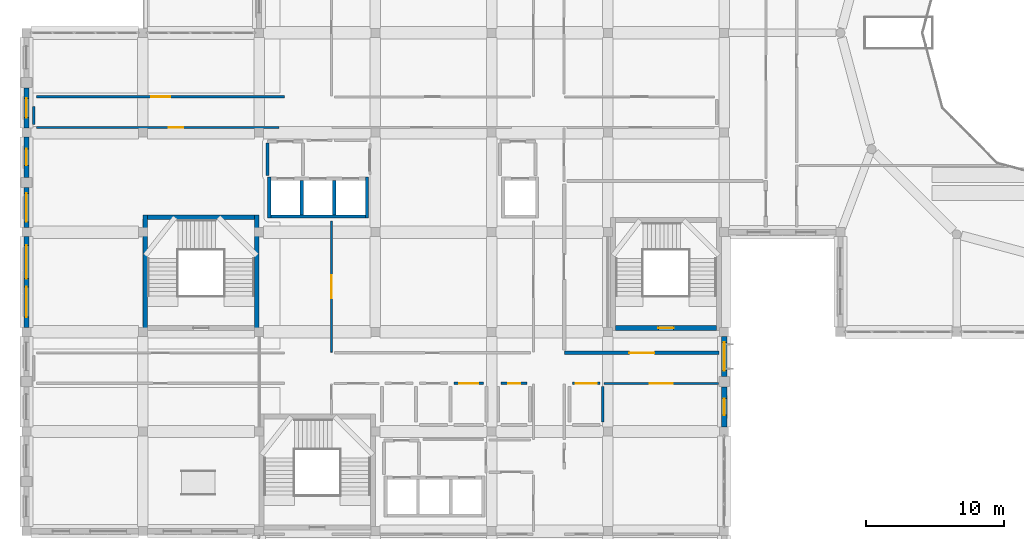
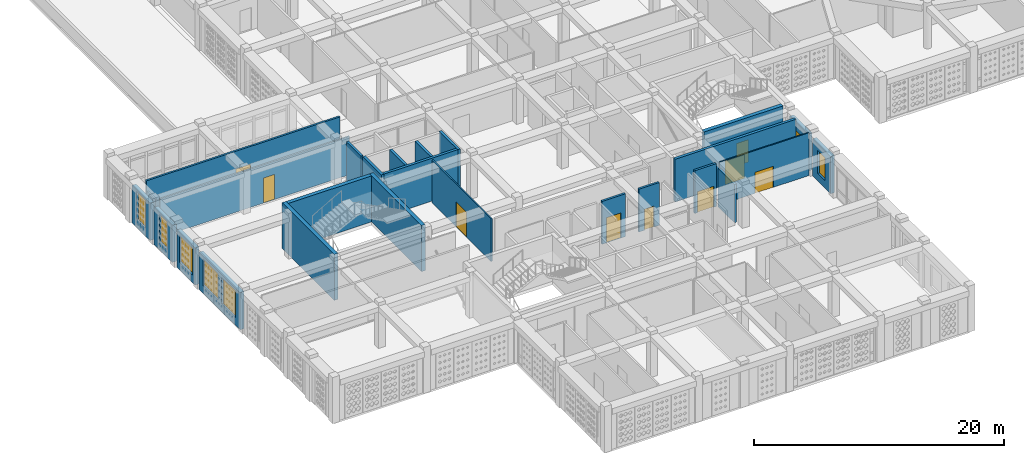
# One storey, part 42 of 79: 26 walls, 9 doors, 7 windows, 16 openings.
"""IFC4 building model written with IfcOpenShell, lengths in metres."""

from ifc_helpers import new_model, si_unit, derived_unit, direction, frame, frame_2d, origin, place, context, subcontext, project, spatial, rectangle, extrude, material, layer, layer_set, type_object, element, fill, save


model = new_model("IFC4")

# Units and contexts
model_context = context("Model", 3, precision=1e-05, world=origin(), true_north=direction((0.0, 1.0)))
body_context = subcontext(model_context, "Body", "Model", "MODEL_VIEW")
ifc_project = project(units=[si_unit("LENGTHUNIT", "METRE"), si_unit("AREAUNIT", "SQUARE_METRE"), si_unit("VOLUMEUNIT", "CUBIC_METRE"), si_unit("PLANEANGLEUNIT", "RADIAN"), si_unit("MASSUNIT", "GRAM", prefix="KILO"), derived_unit("THERMALTRANSMITTANCEUNIT", [(si_unit("POWERUNIT", "WATT"), 1), (si_unit("LENGTHUNIT", "METRE"), -2), (si_unit("THERMODYNAMICTEMPERATUREUNIT", "KELVIN"), -1)])], contexts=[model_context])

# Site, building, storey
site_placement = place(None, origin())
site = spatial("IfcSite", under=ifc_project, at=site_placement, CompositionType="ELEMENT")
building_placement = place(site_placement, origin())
building = spatial("IfcBuilding", under=site, at=building_placement, Name="Veybourne Emporium", CompositionType="ELEMENT")
storey_placement = place(building_placement, frame((0.0, 0.0, 18.89990234375)))
storey = spatial("IfcBuildingStorey", under=building, at=storey_placement, Name="L04", CompositionType="ELEMENT", Elevation=18.89990234375)

# Wall, openings, windows
ifc_material_1 = material(Name="Portland Limestone Ashlar", Category="masonry")
ifc_layer_1 = layer(ifc_material_1, 0.3798828125)
ifc_layer_set_1 = layer_set([ifc_layer_1], Name="Portland Limestone Ashlar")
wall_type_1 = type_object("IfcWallType", Name="ExtWall_EW-03", PredefinedType="SOLIDWALL", material=ifc_layer_set_1)
wall_1_placement = place(storey_placement, frame((0.0, 29.125, 0.0), z_axis=(0.0, 0.0, 1.0), x_axis=(0.0, 1.0, 0.0)))
wall_1 = element("IfcWall", 1, at=wall_1_placement, inside=storey, type_object=wall_type_1, Name="L04 Portland stone external wall 004", PredefinedType="SOLIDWALL", context=body_context, shape_type="SweptSolid", body=[
    extrude(rectangle(XDim=6.550048828125, YDim=0.3798828125, at=frame_2d((3.27490234375, 0.0))), origin(), (0.0, 0.0, 1.0), 3.630126953125),
])
opening_1_placement = place(wall_1_placement, frame((0.73388671875, 0.0, 0.75)))
opening_1 = element("IfcOpeningElement", 2, at=opening_1_placement, cuts=wall_1, Name="Opening W-38", PredefinedType="OPENING", context=body_context, shape_type="SweptSolid", body=[
    extrude(rectangle(XDim=2.199951171875, YDim=2.6201171875, at=frame_2d((1.10009765625, 1.31005859375))), frame((0.0, 0.2099609375, 0.0), z_axis=(0.0, -1.0, 0.0), x_axis=(1.0, 0.0, 0.0)), (0.0, 0.0, 1.0), 0.419921875),
])
opening_2_placement = place(wall_1_placement, frame((3.51611328125, 0.0, 0.75)))
opening_2 = element("IfcOpeningElement", 3, at=opening_2_placement, cuts=wall_1, Name="Opening W-39", PredefinedType="OPENING", context=body_context, shape_type="SweptSolid", body=[
    extrude(rectangle(XDim=2.39990234375, YDim=2.6201171875, at=frame_2d((1.199951171875, 1.31005859375))), frame((0.0, 0.2099609375, 0.0), z_axis=(0.0, -1.0, 0.0), x_axis=(1.0, 0.0, 0.0)), (0.0, 0.0, 1.0), 0.419921875),
])
ifc_material_2 = material(Name="Low-E Triple Glazing", Category="glass")
window_type_1 = type_object("IfcWindowType", Name="Win_W-38", PartitioningType="TRIPLE_PANEL_VERTICAL", PredefinedType="WINDOW", material=ifc_material_2)
window_1_placement = place(opening_1_placement, origin())
window_1 = element("IfcWindow", 4, at=window_1_placement, inside=storey, type_object=window_type_1, Name="L04 tripartite bronze casement window W-38 (4.1)", OverallHeight=2.6201171875, OverallWidth=2.199951171875, PartitioningType="TRIPLE_PANEL_VERTICAL", PredefinedType="WINDOW", context=body_context, shape_type="SweptSolid", body=[
    extrude(rectangle(XDim=2.199951171875, YDim=2.6201171875, at=frame_2d((1.10009765625, 1.31005859375))), frame((0.0, 0.030029296875, 0.0), z_axis=(0.0, -1.0, 0.0), x_axis=(1.0, 0.0, 0.0)), (0.0, 0.0, 1.0), 0.06005859375),
])
fill(opening_1, window_1)
window_type_2 = type_object("IfcWindowType", Name="Win_W-39", PartitioningType="TRIPLE_PANEL_VERTICAL", PredefinedType="WINDOW", material=ifc_material_2)
window_2_placement = place(opening_2_placement, origin())
window_2 = element("IfcWindow", 5, at=window_2_placement, inside=storey, type_object=window_type_2, Name="L04 tripartite bronze casement window W-39 (4.2)", OverallHeight=2.6201171875, OverallWidth=2.39990234375, PartitioningType="TRIPLE_PANEL_VERTICAL", PredefinedType="WINDOW", context=body_context, shape_type="SweptSolid", body=[
    extrude(rectangle(XDim=2.39990234375, YDim=2.6201171875, at=frame_2d((1.199951171875, 1.31005859375))), frame((0.0, 0.030029296875, 0.0), z_axis=(0.0, -1.0, 0.0), x_axis=(1.0, 0.0, 0.0)), (0.0, 0.0, 1.0), 0.06005859375),
])
fill(opening_2, window_2)

# Wall, opening, window
wall_2_placement = place(storey_placement, frame((0.0, 36.324951171875, 0.0), z_axis=(0.0, 0.0, 1.0), x_axis=(0.0, 1.0, 0.0)))
wall_2 = element("IfcWall", 6, at=wall_2_placement, inside=storey, type_object=wall_type_1, Name="L04 Portland stone external wall 005A", PredefinedType="SOLIDWALL", context=body_context, shape_type="SweptSolid", body=[
    extrude(rectangle(XDim=2.905029296875, YDim=0.3798828125, at=frame_2d((1.45263671875, 0.0))), origin(), (0.0, 0.0, 1.0), 3.630126953125),
])
opening_3_placement = place(wall_2_placement, frame((0.427490234375, 0.0, 0.75)))
opening_3 = element("IfcOpeningElement", 7, at=opening_3_placement, cuts=wall_2, Name="Opening W-40", PredefinedType="OPENING", context=body_context, shape_type="SweptSolid", body=[
    extrude(rectangle(XDim=2.050048828125, YDim=2.6201171875, at=frame_2d((1.02490234375, 1.31005859375))), frame((0.0, 0.2099609375, 0.0), z_axis=(0.0, -1.0, 0.0), x_axis=(1.0, 0.0, 0.0)), (0.0, 0.0, 1.0), 0.419921875),
])
window_type_3 = type_object("IfcWindowType", Name="Win_W-40", PartitioningType="TRIPLE_PANEL_VERTICAL", PredefinedType="WINDOW", material=ifc_material_2)
window_3_placement = place(opening_3_placement, origin())
window_3 = element("IfcWindow", 8, at=window_3_placement, inside=storey, type_object=window_type_3, Name="L04 tripartite bronze casement window W-40 (5A)", OverallHeight=2.6201171875, OverallWidth=2.050048828125, PartitioningType="TRIPLE_PANEL_VERTICAL", PredefinedType="WINDOW", context=body_context, shape_type="SweptSolid", body=[
    extrude(rectangle(XDim=2.050048828125, YDim=2.6201171875, at=frame_2d((1.02490234375, 1.31005859375))), frame((0.0, 0.030029296875, 0.0), z_axis=(0.0, -1.0, 0.0), x_axis=(1.0, 0.0, 0.0)), (0.0, 0.0, 1.0), 0.06005859375),
])
fill(opening_3, window_3)

wall_3_placement = place(storey_placement, frame((0.0, 39.969970703125, 0.0), z_axis=(0.0, 0.0, 1.0), x_axis=(0.0, 1.0, 0.0)))
wall_3 = element("IfcWall", 9, at=wall_3_placement, inside=storey, type_object=wall_type_1, Name="L04 Portland stone external wall 005B", PredefinedType="SOLIDWALL", context=body_context, shape_type="SweptSolid", body=[
    extrude(rectangle(XDim=2.905029296875, YDim=0.3798828125, at=frame_2d((1.45263671875, 0.0))), origin(), (0.0, 0.0, 1.0), 3.630126953125),
])
opening_4_placement = place(wall_3_placement, frame((0.8525390625, 0.0, 0.75)))
opening_4 = element("IfcOpeningElement", 10, at=opening_4_placement, cuts=wall_3, Name="Opening W-41", PredefinedType="OPENING", context=body_context, shape_type="SweptSolid", body=[
    extrude(rectangle(XDim=1.199951171875, YDim=2.72998046875, at=frame_2d((0.60009765625, 1.364990234375))), frame((0.0, 0.2099609375, 0.0), z_axis=(0.0, -1.0, 0.0), x_axis=(1.0, 0.0, 0.0)), (0.0, 0.0, 1.0), 0.419921875),
])
window_type_4 = type_object("IfcWindowType", Name="Win_W-41", PartitioningType="SINGLE_PANEL", PredefinedType="WINDOW", material=ifc_material_2)
window_4_placement = place(opening_4_placement, origin())
window_4 = element("IfcWindow", 11, at=window_4_placement, inside=storey, type_object=window_type_4, Name="L04 tripartite bronze casement window W-41 (5B)", OverallHeight=2.72998046875, OverallWidth=1.199951171875, PartitioningType="SINGLE_PANEL", PredefinedType="WINDOW", context=body_context, shape_type="SweptSolid", body=[
    extrude(rectangle(XDim=1.199951171875, YDim=2.72998046875, at=frame_2d((0.60009765625, 1.364990234375))), frame((0.0, 0.030029296875, 0.0), z_axis=(0.0, -1.0, 0.0), x_axis=(1.0, 0.0, 0.0)), (0.0, 0.0, 1.0), 0.06005859375),
])
fill(opening_4, window_4)

wall_4_placement = place(storey_placement, frame((0.0, 43.52490234375, 0.0), z_axis=(0.0, 0.0, 1.0), x_axis=(0.0, 1.0, 0.0)))
wall_4 = element("IfcWall", 12, at=wall_4_placement, inside=storey, type_object=wall_type_1, Name="L04 Portland stone external wall 007A", PredefinedType="SOLIDWALL", context=body_context, shape_type="SweptSolid", body=[
    extrude(rectangle(XDim=2.905029296875, YDim=0.3798828125, at=frame_2d((1.45263671875, 0.0))), origin(), (0.0, 0.0, 1.0), 3.630126953125),
])
opening_5_placement = place(wall_4_placement, frame((0.75244140625, 0.0, 0.75)))
opening_5 = element("IfcOpeningElement", 13, at=opening_5_placement, cuts=wall_4, Name="Opening W-42", PredefinedType="OPENING", context=body_context, shape_type="SweptSolid", body=[
    extrude(rectangle(XDim=1.39990234375, YDim=2.72998046875, at=frame_2d((0.699951171875, 1.364990234375))), frame((0.0, 0.2099609375, 0.0), z_axis=(0.0, -1.0, 0.0), x_axis=(1.0, 0.0, 0.0)), (0.0, 0.0, 1.0), 0.419921875),
])
window_type_5 = type_object("IfcWindowType", Name="Win_W-42", PartitioningType="DOUBLE_PANEL_VERTICAL", PredefinedType="WINDOW", material=ifc_material_2)
window_5_placement = place(opening_5_placement, origin())
window_5 = element("IfcWindow", 14, at=window_5_placement, inside=storey, type_object=window_type_5, Name="L04 tripartite bronze casement window W-42 (7A)", OverallHeight=2.72998046875, OverallWidth=1.39990234375, PartitioningType="DOUBLE_PANEL_VERTICAL", PredefinedType="WINDOW", context=body_context, shape_type="SweptSolid", body=[
    extrude(rectangle(XDim=1.39990234375, YDim=2.72998046875, at=frame_2d((0.699951171875, 1.364990234375))), frame((0.0, 0.030029296875, 0.0), z_axis=(0.0, -1.0, 0.0), x_axis=(1.0, 0.0, 0.0)), (0.0, 0.0, 1.0), 0.06005859375),
])
fill(opening_5, window_5)

wall_5_placement = place(storey_placement, frame((50.39990234375, 28.47509765625, 0.0), z_axis=(0.0, 0.0, 1.0), x_axis=(0.0, -1.0, 0.0)))
wall_5 = element("IfcWall", 15, at=wall_5_placement, inside=storey, type_object=wall_type_1, Name="L04 Portland stone external wall 028A", PredefinedType="SOLIDWALL", context=body_context, shape_type="SweptSolid", body=[
    extrude(rectangle(XDim=2.905029296875, YDim=0.3798828125, at=frame_2d((1.45263671875, 0.0))), origin(), (0.0, 0.0, 1.0), 3.630126953125),
])
opening_6_placement = place(wall_5_placement, frame((0.427490234375, 0.0, 0.75)))
opening_6 = element("IfcOpeningElement", 16, at=opening_6_placement, cuts=wall_5, Name="Opening W-16", PredefinedType="OPENING", context=body_context, shape_type="SweptSolid", body=[
    extrude(rectangle(XDim=2.050048828125, YDim=2.080078125, at=frame_2d((1.02490234375, 1.0400390625))), frame((0.0, 0.2099609375, 0.0), z_axis=(0.0, -1.0, 0.0), x_axis=(1.0, 0.0, 0.0)), (0.0, 0.0, 1.0), 0.419921875),
])
window_type_6 = type_object("IfcWindowType", Name="Win_W-16", PartitioningType="TRIPLE_PANEL_VERTICAL", PredefinedType="WINDOW", material=ifc_material_2)
window_6_placement = place(opening_6_placement, origin())
window_6 = element("IfcWindow", 17, at=window_6_placement, inside=storey, type_object=window_type_6, Name="L04 tripartite bronze casement window W-16 (28A)", OverallHeight=2.080078125, OverallWidth=2.050048828125, PartitioningType="TRIPLE_PANEL_VERTICAL", PredefinedType="WINDOW", context=body_context, shape_type="SweptSolid", body=[
    extrude(rectangle(XDim=2.050048828125, YDim=2.080078125, at=frame_2d((1.02490234375, 1.0400390625))), frame((0.0, 0.030029296875, 0.0), z_axis=(0.0, -1.0, 0.0), x_axis=(1.0, 0.0, 0.0)), (0.0, 0.0, 1.0), 0.06005859375),
])
fill(opening_6, window_6)

wall_6_placement = place(storey_placement, frame((50.39990234375, 24.830078125, 0.0), z_axis=(0.0, 0.0, 1.0), x_axis=(0.0, -1.0, 0.0)))
wall_6 = element("IfcWall", 18, at=wall_6_placement, inside=storey, type_object=wall_type_1, Name="L04 Portland stone external wall 028B", PredefinedType="SOLIDWALL", context=body_context, shape_type="SweptSolid", body=[
    extrude(rectangle(XDim=2.905029296875, YDim=0.3798828125, at=frame_2d((1.45263671875, 0.0))), origin(), (0.0, 0.0, 1.0), 3.630126953125),
])
opening_7_placement = place(wall_6_placement, frame((0.8525390625, 0.0, 0.75)))
opening_7 = element("IfcOpeningElement", 19, at=opening_7_placement, cuts=wall_6, Name="Opening W-17", PredefinedType="OPENING", context=body_context, shape_type="SweptSolid", body=[
    extrude(rectangle(XDim=1.199951171875, YDim=2.260009765625, at=frame_2d((0.60009765625, 1.1298828125))), frame((0.0, 0.2099609375, 0.0), z_axis=(0.0, -1.0, 0.0), x_axis=(1.0, 0.0, 0.0)), (0.0, 0.0, 1.0), 0.419921875),
])
window_type_7 = type_object("IfcWindowType", Name="Win_W-17", PartitioningType="SINGLE_PANEL", PredefinedType="WINDOW", material=ifc_material_2)
window_7_placement = place(opening_7_placement, origin())
window_7 = element("IfcWindow", 20, at=window_7_placement, inside=storey, type_object=window_type_7, Name="L04 tripartite bronze casement window W-17 (28B)", OverallHeight=2.260009765625, OverallWidth=1.199951171875, PartitioningType="SINGLE_PANEL", PredefinedType="WINDOW", context=body_context, shape_type="SweptSolid", body=[
    extrude(rectangle(XDim=1.199951171875, YDim=2.260009765625, at=frame_2d((0.60009765625, 1.1298828125))), frame((0.0, 0.030029296875, 0.0), z_axis=(0.0, -1.0, 0.0), x_axis=(1.0, 0.0, 0.0)), (0.0, 0.0, 1.0), 0.06005859375),
])
fill(opening_7, window_7)

# Walls
ifc_material_3 = material(Name="Concrete C40/50", Category="concrete")
ifc_layer_2 = layer(ifc_material_3, 0.35009765625)
ifc_layer_set_2 = layer_set([ifc_layer_2], Name="Concrete C40/50")
wall_type_2 = type_object("IfcWallType", Name="IntWall_CW-02", PredefinedType="SHEAR", material=ifc_layer_set_2)
wall_7_placement = place(storey_placement, frame((8.75, 37.074951171875, 0.0), z_axis=(0.0, 0.0, 1.0), x_axis=(1.0, 0.0, 0.0)))
element("IfcWall", 21, at=wall_7_placement, inside=storey, type_object=wall_type_2, Name="Core stair ST-02 north shear wall (L04)", PredefinedType="SHEAR", context=body_context, shape_type="SweptSolid", body=[
    extrude(rectangle(XDim=7.699951171875, YDim=0.35009765625, at=frame_2d((3.85009765625, 0.0))), origin(), (0.0, 0.0, 1.0), 4.5),
])
for number, where, z_axis, x_axis, name in (
    (22, (8.574951171875, 37.25, 0.0), (0.0, 0.0, 1.0), (0.0, -1.0, 0.0), "Core stair ST-02 west shear wall (L04)"),
    (23, (16.625, 28.89990234375, 0.0), (0.0, 0.0, 1.0), (0.0, 1.0, 0.0), "Core stair ST-02 east shear wall (L04)"),
):
    element("IfcWall", number, at=place(storey_placement, frame(where, z_axis=z_axis, x_axis=x_axis)), inside=storey, type_object=wall_type_2, Name=name, PredefinedType="SHEAR", context=body_context, shape_type="SweptSolid", body=[
        extrude(rectangle(XDim=8.35009765625, YDim=0.35009765625, at=frame_2d((4.175048828125, 0.0))), origin(), (0.0, 0.0, 1.0), 4.5),
    ])

# Wall, opening, door
wall_8_placement = place(storey_placement, frame((49.85009765625, 29.074951171875, 0.0), z_axis=(0.0, 0.0, 1.0), x_axis=(-1.0, 0.0, 0.0)))
wall_8 = element("IfcWall", 24, at=wall_8_placement, inside=storey, type_object=wall_type_2, Name="Core stair ST-05 south shear wall (L04)", PredefinedType="SHEAR", context=body_context, shape_type="SweptSolid", body=[
    extrude(rectangle(XDim=7.300048828125, YDim=0.35009765625, at=frame_2d((3.64990234375, 0.0))), origin(), (0.0, 0.0, 1.0), 4.5),
])
opening_8_placement = place(wall_8_placement, frame((3.10009765625, 0.0, 0.0)))
opening_8 = element("IfcOpeningElement", 25, at=opening_8_placement, cuts=wall_8, Name="Opening FD-01", PredefinedType="OPENING", context=body_context, shape_type="SweptSolid", body=[
    extrude(rectangle(XDim=1.10009765625, YDim=2.199951171875, at=frame_2d((0.550048828125, 1.10009765625))), frame((0.0, 0.195068359375, 0.0), z_axis=(0.0, -1.0, 0.0), x_axis=(1.0, 0.0, 0.0)), (0.0, 0.0, 1.0), 0.39013671875),
])
ifc_material_4 = material(Name="Patinated Architectural Bronze", Category="bronze")
door_type_1 = type_object("IfcDoorType", Name="FireDoor_FD-01", OperationType="NOTDEFINED", PredefinedType="DOOR", material=ifc_material_4)
door_1_placement = place(opening_8_placement, origin())
door_1 = element("IfcDoor", 26, at=door_1_placement, inside=storey, type_object=door_type_1, Name="Stair ST-05 fire door (L04)", OperationType="SINGLE_SWING_RIGHT", OverallHeight=2.199951171875, OverallWidth=1.10009765625, PredefinedType="DOOR", context=body_context, shape_type="SweptSolid", body=[
    extrude(rectangle(XDim=1.10009765625, YDim=2.199951171875, at=frame_2d((0.550048828125, 1.10009765625))), frame((0.0, 0.02490234375, 0.0), z_axis=(0.0, -1.0, 0.0), x_axis=(1.0, 0.0, 0.0)), (0.0, 0.0, 1.0), 0.050048828125),
])
fill(opening_8, door_1)

# Walls
ifc_layer_3 = layer(ifc_material_3, 0.239990234375)
ifc_layer_set_3 = layer_set([ifc_layer_3], Name="Concrete C40/50")
wall_type_3 = type_object("IfcWallType", Name="IntWall_CW-04", PredefinedType="SHEAR", material=ifc_layer_set_3)
wall_9_placement = place(storey_placement, frame((17.659912109375, 37.1298828125, 0.0), z_axis=(0.0, 0.0, 1.0), x_axis=(1.0, 0.0, 0.0)))
element("IfcWall", 27, at=wall_9_placement, inside=storey, type_object=wall_type_3, Name="Lift core C2 south shaft wall (L04)", PredefinedType="SHEAR", context=body_context, shape_type="SweptSolid", body=[
    extrude(rectangle(XDim=6.820068359375, YDim=0.239990234375, at=frame_2d((3.41015625, 0.0))), origin(), (0.0, 0.0, 1.0), 4.18017578125),
])
for number, where, z_axis, x_axis, name in (
    (28, (17.5400390625, 39.989990234375, 0.0), (0.0, 0.0, 1.0), (0.0, -1.0, 0.0), "Lift core C2 west shaft wall (L04)"),
    (29, (24.60009765625, 37.010009765625, 0.0), (0.0, 0.0, 1.0), (0.0, 1.0, 0.0), "Lift core C2 east shaft wall (L04)"),
):
    element("IfcWall", number, at=place(storey_placement, frame(where, z_axis=z_axis, x_axis=x_axis)), inside=storey, type_object=wall_type_3, Name=name, PredefinedType="SHEAR", context=body_context, shape_type="SweptSolid", body=[
        extrude(rectangle(XDim=2.97998046875, YDim=0.239990234375, at=frame_2d((1.489990234375, 0.0))), origin(), (0.0, 0.0, 1.0), 4.18017578125),
    ])
for number, where, z_axis, x_axis, name in (
    (30, (19.8798828125, 37.25, 0.0), (0.0, 0.0, 1.0), (0.0, 1.0, 0.0), "Lift core C2 divider wall 1 (L04)"),
    (31, (22.239990234375, 37.25, 0.0), (0.0, 0.0, 1.0), (0.0, 1.0, 0.0), "Lift core C2 divider wall 2 (L04)"),
):
    element("IfcWall", number, at=place(storey_placement, frame(where, z_axis=z_axis, x_axis=x_axis)), inside=storey, type_object=wall_type_3, Name=name, PredefinedType="SHEAR", context=body_context, shape_type="SweptSolid", body=[
        extrude(rectangle(XDim=2.5, YDim=0.239990234375, at=frame_2d((1.25, 0.0))), origin(), (0.0, 0.0, 1.0), 4.18017578125),
    ])

# Wall, opening, door
ifc_material_5 = material(Name="Concrete C32/40", Category="concrete")
ifc_layer_4 = layer(ifc_material_5, 0.25)
ifc_layer_set_4 = layer_set([ifc_layer_4], Name="Concrete C32/40")
wall_type_4 = type_object("IfcWallType", Name="IntWall_FW-01", PredefinedType="SOLIDWALL", material=ifc_layer_set_4)
wall_10_placement = place(storey_placement, frame((38.8798828125, 27.280029296875, 0.0), z_axis=(0.0, 0.0, 1.0), x_axis=(1.0, 0.0, 0.0)))
wall_10 = element("IfcWall", 32, at=wall_10_placement, inside=storey, type_object=wall_type_4, Name="L04 interior partition FW-01 #033", PredefinedType="SOLIDWALL", context=body_context, shape_type="SweptSolid", body=[
    extrude(rectangle(XDim=11.150146484375, YDim=0.25, at=frame_2d((5.5751953125, 0.0))), origin(), (0.0, 0.0, 1.0), 4.18017578125),
])
opening_9_placement = place(wall_10_placement, frame((4.675048828125, 0.0, 0.0)))
opening_9 = element("IfcOpeningElement", 33, at=opening_9_placement, cuts=wall_10, Name="Opening FD-03", PredefinedType="OPENING", context=body_context, shape_type="SweptSolid", body=[
    extrude(rectangle(XDim=1.800048828125, YDim=2.300048828125, at=frame_2d((0.89990234375, 1.14990234375))), frame((0.0, 0.14501953125, 0.0), z_axis=(0.0, -1.0, 0.0), x_axis=(1.0, 0.0, 0.0)), (0.0, 0.0, 1.0), 0.2900390625),
])
door_type_2 = type_object("IfcDoorType", Name="FireDoor_FD-03", OperationType="DOUBLE_DOOR_SINGLE_SWING", PredefinedType="DOOR", material=ifc_material_4)
door_2_placement = place(opening_9_placement, origin())
door_2 = element("IfcDoor", 34, at=door_2_placement, inside=storey, type_object=door_type_2, Name="L04 interior door FD-03 (PART-L04-033)", OperationType="DOUBLE_DOOR_SINGLE_SWING", OverallHeight=2.300048828125, OverallWidth=1.800048828125, PredefinedType="DOOR", context=body_context, shape_type="SweptSolid", body=[
    extrude(rectangle(XDim=1.800048828125, YDim=2.300048828125, at=frame_2d((0.89990234375, 1.14990234375))), frame((0.0, 0.02490234375, 0.0), z_axis=(0.0, -1.0, 0.0), x_axis=(1.0, 0.0, 0.0)), (0.0, 0.0, 1.0), 0.050048828125),
])
fill(opening_9, door_2)

# Wall
ifc_layer_5 = layer(ifc_material_5, 0.219970703125)
ifc_layer_set_5 = layer_set([ifc_layer_5], Name="Concrete C32/40")
wall_type_5 = type_object("IfcWallType", Name="IntWall_FW-02", PredefinedType="SOLIDWALL", material=ifc_layer_set_5)
wall_11_placement = place(storey_placement, frame((17.419921875, 40.110107421875, 0.0), z_axis=(0.0, 0.0, 1.0), x_axis=(0.0, 1.0, 0.0)))
element("IfcWall", 35, at=wall_11_placement, inside=storey, type_object=wall_type_5, Name="Firefighting lobby C2 fire wall W (L04)", PredefinedType="SOLIDWALL", context=body_context, shape_type="SweptSolid", body=[
    extrude(rectangle(XDim=2.31982421875, YDim=0.219970703125, at=frame_2d((1.159912109375, 0.0))), origin(), (0.0, 0.0, 1.0), 4.18017578125),
])

# Wall, opening, door
ifc_material_6 = material(Name="Gypsum Acoustic Board", Category="gypsum")
ifc_layer_6 = layer(ifc_material_6, 0.179931640625)
ifc_layer_set_6 = layer_set([ifc_layer_6], Name="Gypsum Acoustic Board")
wall_type_6 = type_object("IfcWallType", Name="IntWall_IW-01", PredefinedType="PARTITIONING", material=ifc_layer_set_6)
wall_12_placement = place(storey_placement, frame((0.72998046875, 45.780029296875, 0.0), z_axis=(0.0, 0.0, 1.0), x_axis=(1.0, 0.0, 0.0)))
wall_12 = element("IfcWall", 36, at=wall_12_placement, inside=storey, type_object=wall_type_6, Name="L04 interior partition IW-01 #010", PredefinedType="PARTITIONING", context=body_context, shape_type="SweptSolid", body=[
    extrude(rectangle(XDim=17.904052734375, YDim=0.179931640625, at=frame_2d((8.9521484375, 0.0))), origin(), (0.0, 0.0, 1.0), 4.18017578125),
])
opening_10_placement = place(wall_12_placement, frame((8.27197265625, 0.0, 0.0)))
opening_10 = element("IfcOpeningElement", 37, at=opening_10_placement, cuts=wall_12, Name="Opening D-34", PredefinedType="OPENING", context=body_context, shape_type="SweptSolid", body=[
    extrude(rectangle(XDim=1.360107421875, YDim=2.449951171875, at=frame_2d((0.68017578125, 1.22509765625))), frame((0.0, 0.10986328125, 0.0), z_axis=(0.0, -1.0, 0.0), x_axis=(1.0, 0.0, 0.0)), (0.0, 0.0, 1.0), 0.219970703125),
])
ifc_material_7 = material(Name="European Oak Veneer and Bronze", Category="wood")
door_type_3 = type_object("IfcDoorType", Name="IntDoor_D-34", OperationType="NOTDEFINED", PredefinedType="DOOR", material=ifc_material_7)
door_3_placement = place(opening_10_placement, origin())
door_3 = element("IfcDoor", 38, at=door_3_placement, inside=storey, type_object=door_type_3, Name="L04 interior door D-34 (PART-L04-010)", OperationType="SINGLE_SWING_LEFT", OverallHeight=2.449951171875, OverallWidth=1.360107421875, PredefinedType="DOOR", context=body_context, shape_type="SweptSolid", body=[
    extrude(rectangle(XDim=1.360107421875, YDim=2.449951171875, at=frame_2d((0.68017578125, 1.22509765625))), frame((0.0, 0.02490234375, 0.0), z_axis=(0.0, -1.0, 0.0), x_axis=(1.0, 0.0, 0.0)), (0.0, 0.0, 1.0), 0.050048828125),
])
fill(opening_10, door_3)

ifc_layer_7 = layer(ifc_material_6, 0.14990234375)
ifc_layer_set_7 = layer_set([ifc_layer_7], Name="Gypsum Acoustic Board")
wall_type_7 = type_object("IfcWallType", Name="IntWall_IW-02", PredefinedType="PARTITIONING", material=ifc_layer_set_7)
wall_13_placement = place(storey_placement, frame((0.72998046875, 43.570068359375, 0.0), z_axis=(0.0, 0.0, 1.0), x_axis=(1.0, 0.0, 0.0)))
wall_13 = element("IfcWall", 39, at=wall_13_placement, inside=storey, type_object=wall_type_7, Name="L04 interior partition IW-02 #008", PredefinedType="PARTITIONING", context=body_context, shape_type="SweptSolid", body=[
    extrude(rectangle(XDim=17.500244140625, YDim=0.14990234375, at=frame_2d((8.75, 0.0))), origin(), (0.0, 0.0, 1.0), 3.72998046875),
])
opening_11_placement = place(wall_13_placement, frame((9.546875, 0.0, 0.0)))
opening_11 = element("IfcOpeningElement", 40, at=opening_11_placement, cuts=wall_13, Name="Opening D-32", PredefinedType="OPENING", context=body_context, shape_type="SweptSolid", body=[
    extrude(rectangle(XDim=1.0400390625, YDim=2.449951171875, at=frame_2d((0.52001953125, 1.22509765625))), frame((0.0, 0.094970703125, 0.0), z_axis=(0.0, -1.0, 0.0), x_axis=(1.0, 0.0, 0.0)), (0.0, 0.0, 1.0), 0.18994140625),
])
door_type_4 = type_object("IfcDoorType", Name="IntDoor_D-32", OperationType="NOTDEFINED", PredefinedType="DOOR", material=ifc_material_7)
door_4_placement = place(opening_11_placement, origin())
door_4 = element("IfcDoor", 41, at=door_4_placement, inside=storey, type_object=door_type_4, Name="L04 interior door D-32 (PART-L04-008)", OperationType="SINGLE_SWING_LEFT", OverallHeight=2.449951171875, OverallWidth=1.0400390625, PredefinedType="DOOR", context=body_context, shape_type="SweptSolid", body=[
    extrude(rectangle(XDim=1.0400390625, YDim=2.449951171875, at=frame_2d((0.52001953125, 1.22509765625))), frame((0.0, 0.02490234375, 0.0), z_axis=(0.0, -1.0, 0.0), x_axis=(1.0, 0.0, 0.0)), (0.0, 0.0, 1.0), 0.050048828125),
])
fill(opening_11, door_4)

# Wall
wall_14_placement = place(storey_placement, frame((0.52001953125, 43.780029296875, 0.0), z_axis=(0.0, 0.0, 1.0), x_axis=(0.0, 1.0, 0.0)))
element("IfcWall", 42, at=wall_14_placement, inside=storey, type_object=wall_type_7, Name="L04 interior partition IW-02 #107", PredefinedType="PARTITIONING", context=body_context, shape_type="SweptSolid", body=[
    extrude(rectangle(XDim=1.300048828125, YDim=0.14990234375, at=frame_2d((0.64990234375, 0.0))), origin(), (0.0, 0.0, 1.0), 3.630126953125),
])

# Wall, opening, door
ifc_layer_8 = layer(ifc_material_6, 0.1201171875)
ifc_layer_set_8 = layer_set([ifc_layer_8], Name="Gypsum Acoustic Board")
wall_type_8 = type_object("IfcWallType", Name="IntWall_IW-03", PredefinedType="PARTITIONING", material=ifc_layer_set_8)
wall_15_placement = place(storey_placement, frame((22.030029296875, 27.330078125, 0.0), z_axis=(0.0, 0.0, 1.0), x_axis=(0.0, 1.0, 0.0)))
wall_15 = element("IfcWall", 43, at=wall_15_placement, inside=storey, type_object=wall_type_8, Name="L04 interior partition IW-03 #048", PredefinedType="PARTITIONING", context=body_context, shape_type="SweptSolid", body=[
    extrude(rectangle(XDim=9.469970703125, YDim=0.1201171875, at=frame_2d((4.73486328125, 0.0))), origin(), (0.0, 0.0, 1.0), 4.18017578125),
])
opening_12_placement = place(wall_15_placement, frame((3.89501953125, 0.0, 0.0)))
opening_12 = element("IfcOpeningElement", 44, at=opening_12_placement, cuts=wall_15, Name="Opening D-36", PredefinedType="OPENING", context=body_context, shape_type="SweptSolid", body=[
    extrude(rectangle(XDim=1.679931640625, YDim=2.449951171875, at=frame_2d((0.83984375, 1.22509765625))), frame((0.0, 0.080078125, 0.0), z_axis=(0.0, -1.0, 0.0), x_axis=(1.0, 0.0, 0.0)), (0.0, 0.0, 1.0), 0.16015625),
])
door_type_5 = type_object("IfcDoorType", Name="IntDoor_D-36", OperationType="DOUBLE_DOOR_SINGLE_SWING", PredefinedType="DOOR", material=ifc_material_7)
door_5_placement = place(opening_12_placement, origin())
door_5 = element("IfcDoor", 45, at=door_5_placement, inside=storey, type_object=door_type_5, Name="L04 interior door D-36 (PART-L04-048)", OperationType="DOUBLE_DOOR_SINGLE_SWING", OverallHeight=2.449951171875, OverallWidth=1.679931640625, PredefinedType="DOOR", context=body_context, shape_type="SweptSolid", body=[
    extrude(rectangle(XDim=1.679931640625, YDim=2.449951171875, at=frame_2d((0.83984375, 1.22509765625))), frame((0.0, 0.02490234375, 0.0), z_axis=(0.0, -1.0, 0.0), x_axis=(1.0, 0.0, 0.0)), (0.0, 0.0, 1.0), 0.050048828125),
])
fill(opening_12, door_5)

wall_16_placement = place(storey_placement, frame((41.735107421875, 25.070068359375, 0.0), z_axis=(0.0, 0.0, 1.0), x_axis=(1.0, 0.0, 0.0)))
wall_16 = element("IfcWall", 46, at=wall_16_placement, inside=storey, type_object=wall_type_8, Name="L04 interior partition IW-03 #054", PredefinedType="PARTITIONING", context=body_context, shape_type="SweptSolid", body=[
    extrude(rectangle(XDim=8.2548828125, YDim=0.1201171875, at=frame_2d((4.12744140625, 0.0))), origin(), (0.0, 0.0, 1.0), 4.18017578125),
])
opening_13_placement = place(wall_16_placement, frame((3.28759765625, 0.0, 0.0)))
opening_13 = element("IfcOpeningElement", 47, at=opening_13_placement, cuts=wall_16, Name="Opening D-06", PredefinedType="OPENING", context=body_context, shape_type="SweptSolid", body=[
    extrude(rectangle(XDim=1.679931640625, YDim=2.050048828125, at=frame_2d((0.83984375, 1.02490234375))), frame((0.0, 0.080078125, 0.0), z_axis=(0.0, -1.0, 0.0), x_axis=(1.0, 0.0, 0.0)), (0.0, 0.0, 1.0), 0.16015625),
])
door_type_6 = type_object("IfcDoorType", Name="IntDoor_D-06", OperationType="DOUBLE_DOOR_SINGLE_SWING", PredefinedType="DOOR", material=ifc_material_7)
door_6_placement = place(opening_13_placement, origin())
door_6 = element("IfcDoor", 48, at=door_6_placement, inside=storey, type_object=door_type_6, Name="L04 interior door D-06 (PART-L04-054)", OperationType="DOUBLE_DOOR_SINGLE_SWING", OverallHeight=2.050048828125, OverallWidth=1.679931640625, PredefinedType="DOOR", context=body_context, shape_type="SweptSolid", body=[
    extrude(rectangle(XDim=1.679931640625, YDim=2.050048828125, at=frame_2d((0.83984375, 1.02490234375))), frame((0.0, 0.02490234375, 0.0), z_axis=(0.0, -1.0, 0.0), x_axis=(1.0, 0.0, 0.0)), (0.0, 0.0, 1.0), 0.050048828125),
])
fill(opening_13, door_6)

ifc_layer_9 = layer(ifc_material_6, 0.199951171875)
ifc_layer_set_9 = layer_set([ifc_layer_9], Name="Gypsum Acoustic Board")
wall_type_9 = type_object("IfcWallType", Name="IntWall_IW-04", PredefinedType="PLUMBINGWALL", material=ifc_layer_set_9)
wall_17_placement = place(storey_placement, frame((30.8798828125, 25.080078125, 0.0), z_axis=(0.0, 0.0, 1.0), x_axis=(1.0, 0.0, 0.0)))
wall_17 = element("IfcWall", 49, at=wall_17_placement, inside=storey, type_object=wall_type_9, Name="L04 interior partition IW-04 #082", PredefinedType="PLUMBINGWALL", context=body_context, shape_type="SweptSolid", body=[
    extrude(rectangle(XDim=2.14013671875, YDim=0.199951171875, at=frame_2d((1.070068359375, 0.0))), origin(), (0.0, 0.0, 1.0), 4.18017578125),
])
opening_14_placement = place(wall_17_placement, frame((0.389892578125, 0.0, 0.0)))
opening_14 = element("IfcOpeningElement", 50, at=opening_14_placement, cuts=wall_17, Name="Opening D-34", PredefinedType="OPENING", context=body_context, shape_type="SweptSolid", body=[
    extrude(rectangle(XDim=1.360107421875, YDim=2.449951171875, at=frame_2d((0.68017578125, 1.22509765625))), frame((0.0, 0.1201171875, 0.0), z_axis=(0.0, -1.0, 0.0), x_axis=(1.0, 0.0, 0.0)), (0.0, 0.0, 1.0), 0.239990234375),
])
door_7_placement = place(opening_14_placement, origin())
door_7 = element("IfcDoor", 51, at=door_7_placement, inside=storey, type_object=door_type_3, Name="L04 interior door D-34 (PART-L04-082)", OperationType="SINGLE_SWING_LEFT", OverallHeight=2.449951171875, OverallWidth=1.360107421875, PredefinedType="DOOR", context=body_context, shape_type="SweptSolid", body=[
    extrude(rectangle(XDim=1.360107421875, YDim=2.449951171875, at=frame_2d((0.68017578125, 1.22509765625))), frame((0.0, 0.02490234375, 0.0), z_axis=(0.0, -1.0, 0.0), x_axis=(1.0, 0.0, 0.0)), (0.0, 0.0, 1.0), 0.050048828125),
])
fill(opening_14, door_7)

wall_18_placement = place(storey_placement, frame((39.429931640625, 25.080078125, 0.0), z_axis=(0.0, 0.0, 1.0), x_axis=(1.0, 0.0, 0.0)))
wall_18 = element("IfcWall", 52, at=wall_18_placement, inside=storey, type_object=wall_type_9, Name="L04 interior partition IW-04 #089", PredefinedType="PLUMBINGWALL", context=body_context, shape_type="SweptSolid", body=[
    extrude(rectangle(XDim=1.989990234375, YDim=0.199951171875, at=frame_2d((0.9951171875, 0.0))), origin(), (0.0, 0.0, 1.0), 4.18017578125),
])
opening_15_placement = place(wall_18_placement, frame((0.235107421875, 0.0, 0.0)))
opening_15 = element("IfcOpeningElement", 53, at=opening_15_placement, cuts=wall_18, Name="Opening D-05", PredefinedType="OPENING", context=body_context, shape_type="SweptSolid", body=[
    extrude(rectangle(XDim=1.52001953125, YDim=2.050048828125, at=frame_2d((0.760009765625, 1.02490234375))), frame((0.0, 0.1201171875, 0.0), z_axis=(0.0, -1.0, 0.0), x_axis=(1.0, 0.0, 0.0)), (0.0, 0.0, 1.0), 0.239990234375),
])
door_type_7 = type_object("IfcDoorType", Name="IntDoor_D-05", OperationType="NOTDEFINED", PredefinedType="DOOR", material=ifc_material_7)
door_8_placement = place(opening_15_placement, origin())
door_8 = element("IfcDoor", 54, at=door_8_placement, inside=storey, type_object=door_type_7, Name="L04 interior door D-05 (PART-L04-089)", OperationType="SINGLE_SWING_RIGHT", OverallHeight=2.050048828125, OverallWidth=1.52001953125, PredefinedType="DOOR", context=body_context, shape_type="SweptSolid", body=[
    extrude(rectangle(XDim=1.52001953125, YDim=2.050048828125, at=frame_2d((0.760009765625, 1.02490234375))), frame((0.0, 0.02490234375, 0.0), z_axis=(0.0, -1.0, 0.0), x_axis=(1.0, 0.0, 0.0)), (0.0, 0.0, 1.0), 0.050048828125),
])
fill(opening_15, door_8)

wall_19_placement = place(storey_placement, frame((34.280029296875, 25.080078125, 0.0), z_axis=(0.0, 0.0, 1.0), x_axis=(1.0, 0.0, 0.0)))
wall_19 = element("IfcWall", 55, at=wall_19_placement, inside=storey, type_object=wall_type_9, Name="L04 interior partition IW-04 #090", PredefinedType="PLUMBINGWALL", context=body_context, shape_type="SweptSolid", body=[
    extrude(rectangle(XDim=1.889892578125, YDim=0.199951171875, at=frame_2d((0.94482421875, 0.0))), origin(), (0.0, 0.0, 1.0), 4.18017578125),
])
opening_16_placement = place(wall_19_placement, frame((0.5048828125, 0.0, 0.0)))
opening_16 = element("IfcOpeningElement", 56, at=opening_16_placement, cuts=wall_19, Name="Opening D-01", PredefinedType="OPENING", context=body_context, shape_type="SweptSolid", body=[
    extrude(rectangle(XDim=0.8798828125, YDim=2.050048828125, at=frame_2d((0.43994140625, 1.02490234375))), frame((0.0, 0.1201171875, 0.0), z_axis=(0.0, -1.0, 0.0), x_axis=(1.0, 0.0, 0.0)), (0.0, 0.0, 1.0), 0.239990234375),
])
door_type_8 = type_object("IfcDoorType", Name="IntDoor_D-01", OperationType="NOTDEFINED", PredefinedType="DOOR", material=ifc_material_7)
door_9_placement = place(opening_16_placement, origin())
door_9 = element("IfcDoor", 57, at=door_9_placement, inside=storey, type_object=door_type_8, Name="L04 interior door D-01 (PART-L04-090)", OperationType="SINGLE_SWING_LEFT", OverallHeight=2.050048828125, OverallWidth=0.8798828125, PredefinedType="DOOR", context=body_context, shape_type="SweptSolid", body=[
    extrude(rectangle(XDim=0.8798828125, YDim=2.050048828125, at=frame_2d((0.43994140625, 1.02490234375))), frame((0.0, 0.02490234375, 0.0), z_axis=(0.0, -1.0, 0.0), x_axis=(1.0, 0.0, 0.0)), (0.0, 0.0, 1.0), 0.050048828125),
])
fill(opening_16, door_9)

# Wall
wall_20_placement = place(storey_placement, frame((41.6298828125, 22.280029296875, 0.0), z_axis=(0.0, 0.0, 1.0), x_axis=(0.0, 1.0, 0.0)))
element("IfcWall", 58, at=wall_20_placement, inside=storey, type_object=wall_type_9, Name="L04 interior partition IW-04 #137", PredefinedType="PLUMBINGWALL", context=body_context, shape_type="SweptSolid", body=[
    extrude(rectangle(XDim=2.590087890625, YDim=0.199951171875, at=frame_2d((1.294921875, 0.0))), origin(), (0.0, 0.0, 1.0), 3.72998046875),
])

save(model, "model.ifc")
